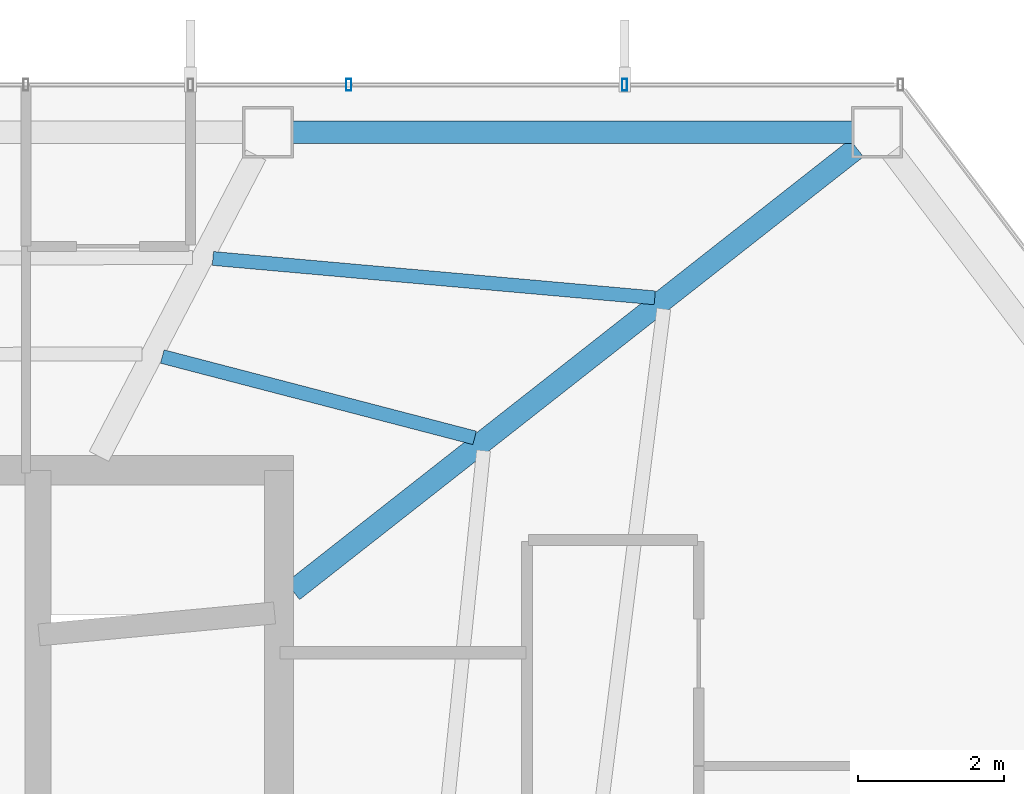
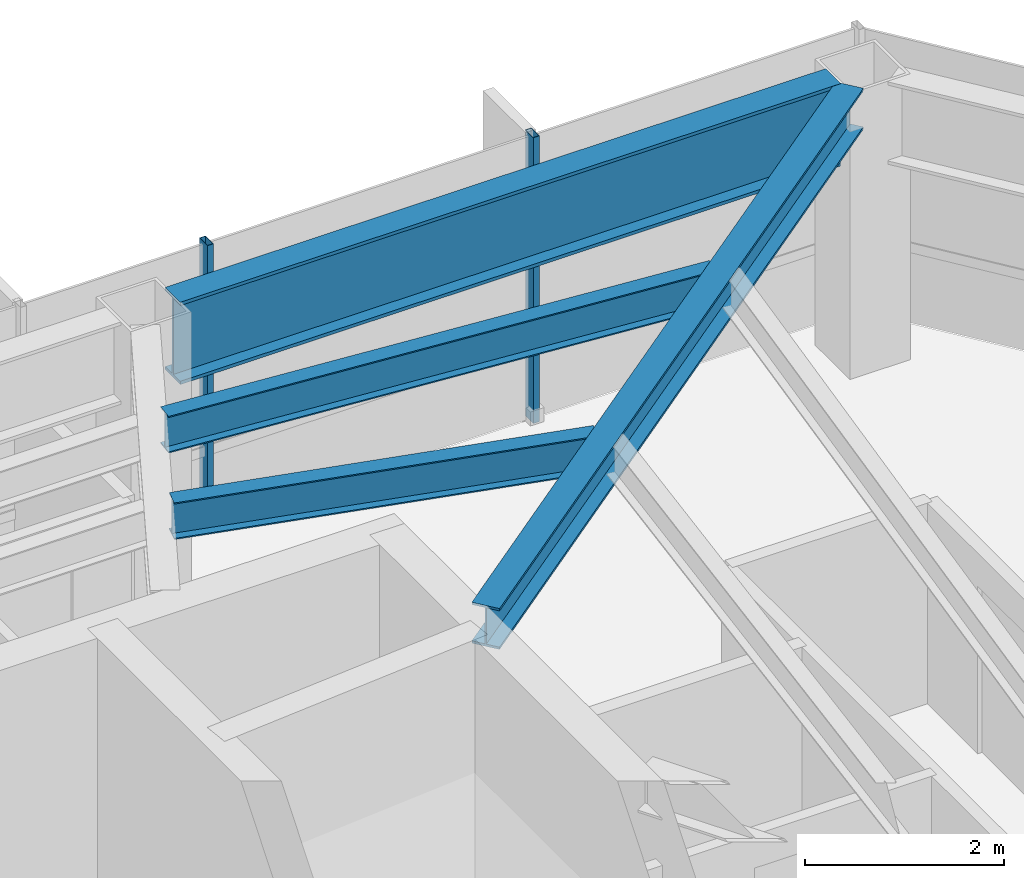
# One storey, part 21 of 27: 4 beams, 2 members, 1 element without a shape of its own.
"""IFC4 building model written with IfcOpenShell, lengths in metres."""

from ifc_helpers import new_model, si_unit, direction, frame, origin, origin_2d, place, context, subcontext, project, spatial, hollow_rectangle, i_section, extrude, material, layer, layer_set, material_profile, profile_set, type_object, element, aggregate, save


model = new_model("IFC4")

# Units and contexts
model_context = context("Model", 3, precision=1e-05, world=origin(), true_north=direction((0.0, 1.0)))
body_context = subcontext(model_context, "Body", "Model", "MODEL_VIEW")
ifc_project = project(units=[si_unit("LENGTHUNIT", "METRE"), si_unit("AREAUNIT", "SQUARE_METRE"), si_unit("VOLUMEUNIT", "CUBIC_METRE"), si_unit("PLANEANGLEUNIT", "RADIAN"), si_unit("MASSUNIT", "GRAM", prefix="KILO")], contexts=[model_context])

# Site, building, storey
site_placement = place(None, origin())
site = spatial("IfcSite", under=ifc_project, at=site_placement, CompositionType="ELEMENT")
building_placement = place(site_placement, origin())
building = spatial("IfcBuilding", under=site, at=building_placement, Name="Zarrinselat Tower", CompositionType="ELEMENT")
storey_placement = place(building_placement, frame((0.0, 0.0, 179.52001953125)))
storey = spatial("IfcBuildingStorey", under=building, at=storey_placement, Name="L44", CompositionType="ELEMENT", Elevation=179.52001953125)

# Beams
ifc_material_1 = material(Name="Steel S355J2", Category="steel")
ifc_material_profile_1 = material_profile(ifc_material_1, i_section(OverallWidth=0.300048828125, OverallDepth=0.5, WebThickness=0.014404296875, FlangeThickness=0.028076171875, at=origin_2d()), Name="HEB 500")
ifc_profile_set_1 = profile_set([ifc_material_profile_1], Name="Steel S355J2")
beam_type_1 = type_object("IfcBeamType", Name="BM-HEB500", PredefinedType="BEAM", material=ifc_profile_set_1)
beam_1_placement = place(storey_placement, frame((48.449951171875, 41.800048828125, 3.25), z_axis=(0.786435862655, 0.617671946854, 0.0), x_axis=(-0.617671946854, 0.786435862655, 0.0)))
element("IfcBeam", 1, at=beam_1_placement, inside=storey, type_object=beam_type_1, Name="L44 Radial Primary Girder RG01", PredefinedType="BEAM", context=body_context, shape_type="SweptSolid", body=[
    extrude(i_section(OverallWidth=0.300048828125, OverallDepth=0.5, WebThickness=0.014404296875, FlangeThickness=0.028076171875, at=origin_2d()), origin(), (0.0, 0.0, 1.0), 9.802490234375),
])
ifc_material_2 = material(Name="Steel S460M", Category="steel")
ifc_material_profile_2 = material_profile(ifc_material_2, i_section(OverallWidth=0.302001953125, OverallDepth=1.008056640625, WebThickness=0.02099609375, FlangeThickness=0.0400390625, at=origin_2d()), Name="HEM 1000")
ifc_profile_set_2 = profile_set([ifc_material_profile_2], Name="Steel S460M")
beam_type_2 = type_object("IfcBeamType", Name="BM-HEM1000", PredefinedType="BEAM", material=ifc_profile_set_2)
beam_2_placement = place(storey_placement, frame((48.447998046875, 48.072265625, 2.99609375), z_axis=(1.0, 0.0, 0.0), x_axis=(0.0, 1.0, 0.0)))
element("IfcBeam", 2, at=beam_2_placement, inside=storey, type_object=beam_type_2, Name="L44 Perimeter Spandrel Girder SP01", PredefinedType="BEAM", context=body_context, shape_type="SweptSolid", body=[
    extrude(i_section(OverallWidth=0.302001953125, OverallDepth=1.008056640625, WebThickness=0.02099609375, FlangeThickness=0.0400390625, at=origin_2d()), origin(), (0.0, 0.0, 1.0), 7.64990234375),
])
ifc_material_3 = material(Name="Steel S355J2", Category="steel")
ifc_material_profile_3 = material_profile(ifc_material_3, i_section(OverallWidth=0.18994140625, OverallDepth=0.449951171875, WebThickness=0.009521484375, FlangeThickness=0.0146484375, at=origin_2d()), Name="IPE 450")
ifc_profile_set_3 = profile_set([ifc_material_profile_3], Name="Steel S355J2")
beam_type_3 = type_object("IfcBeamType", Name="BM-IPE450", PredefinedType="JOIST", material=ifc_profile_set_3)
beam_3_placement = place(storey_placement, frame((47.356689453125, 46.3466796875, 3.27490234375), z_axis=(0.996057480744, -0.088710174468, 0.0), x_axis=(0.088710174468, 0.996057480744, 0.0)))
element("IfcBeam", 3, at=beam_3_placement, inside=storey, type_object=beam_type_3, Name="L44 Composite Floor Joist 6-1", PredefinedType="JOIST", context=body_context, shape_type="SweptSolid", body=[
    extrude(i_section(OverallWidth=0.18994140625, OverallDepth=0.449951171875, WebThickness=0.009521484375, FlangeThickness=0.0146484375, at=origin_2d()), origin(), (0.0, 0.0, 1.0), 6.065673828125),
])
beam_4_placement = place(storey_placement, frame((46.66552734375, 45.005615234375, 3.27490234375), z_axis=(0.967733510936, -0.2519758953, 0.0), x_axis=(0.2519758953, 0.967733510936, 0.0)))
element("IfcBeam", 4, at=beam_4_placement, inside=storey, type_object=beam_type_3, Name="L44 Composite Floor Joist 6-2", PredefinedType="JOIST", context=body_context, shape_type="SweptSolid", body=[
    extrude(i_section(OverallWidth=0.18994140625, OverallDepth=0.449951171875, WebThickness=0.009521484375, FlangeThickness=0.0146484375, at=origin_2d()), origin(), (0.0, 0.0, 1.0), 4.412353515625),
])

# Curtain wall, members
ifc_material_4 = material(Name="Extruded Aluminium Alloy EN AW-6063 T6", Category="aluminium")
ifc_layer = layer(ifc_material_4, 0.175048828125)
ifc_layer_set = layer_set([ifc_layer], Name="Extruded Aluminium Alloy EN AW-6063 T6")
curtain_wall_type = type_object("IfcCurtainWallType", Name="CWS-HTL", PredefinedType="NOTDEFINED", material=ifc_layer_set)
curtain_wall_placement = place(storey_placement, origin())
curtain_wall = element("IfcCurtainWall", 5, at=curtain_wall_placement, inside=storey, type_object=curtain_wall_type, Name="L44 Unitised Curtain Wall CW-L44-E01", PredefinedType="NOTDEFINED")
ifc_material_5 = material(Name="Extruded Aluminium Alloy EN AW-6063 T6", Category="aluminium")
ifc_material_profile_4 = material_profile(ifc_material_5, hollow_rectangle(XDim=0.070068359375, YDim=0.159912109375, WallThickness=0.00390625, at=origin_2d()), Name="RHS 160x70x4")
ifc_profile_set_4 = profile_set([ifc_material_profile_4], Name="Extruded Aluminium Alloy EN AW-6063 T6")
member_type = type_object("IfcMemberType", Name="MEM-CW-MUL2", PredefinedType="MULLION", material=ifc_profile_set_4)
member_1_placement = place(storey_placement, frame((52.98681640625, 48.72216796875, 0.0), z_axis=(0.0, 0.0, 1.0), x_axis=(-1.0, 0.0, 0.0)))
member_1 = element("IfcMember", 6, at=member_1_placement, type_object=member_type, Name="CW-L44-E01 Mullion 1", PredefinedType="MULLION", context=body_context, shape_type="SweptSolid", body=[
    extrude(hollow_rectangle(XDim=0.070068359375, YDim=0.159912109375, WallThickness=0.00390625, at=origin_2d()), origin(), (0.0, 0.0, 1.0), 3.5),
])
member_2_placement = place(storey_placement, frame((49.214599609375, 48.72216796875, 0.0), z_axis=(0.0, 0.0, 1.0), x_axis=(-1.0, 0.0, 0.0)))
member_2 = element("IfcMember", 7, at=member_2_placement, type_object=member_type, Name="CW-L44-E01 Mullion 2", PredefinedType="MULLION", context=body_context, shape_type="SweptSolid", body=[
    extrude(hollow_rectangle(XDim=0.070068359375, YDim=0.159912109375, WallThickness=0.00390625, at=origin_2d()), origin(), (0.0, 0.0, 1.0), 3.5),
])
aggregate(curtain_wall, [member_1, member_2])

save(model, "model.ifc")
